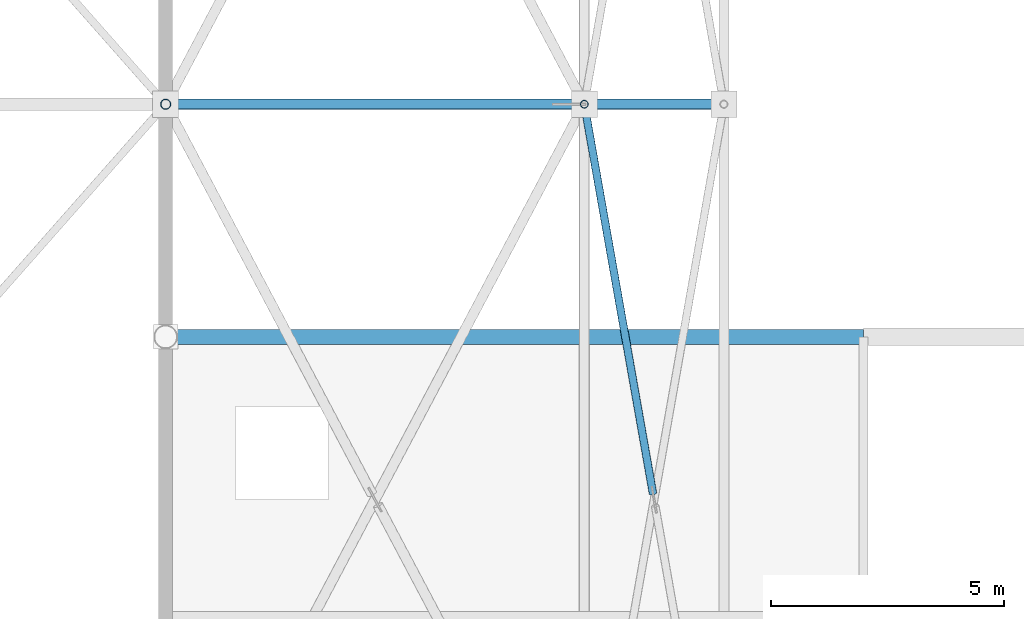
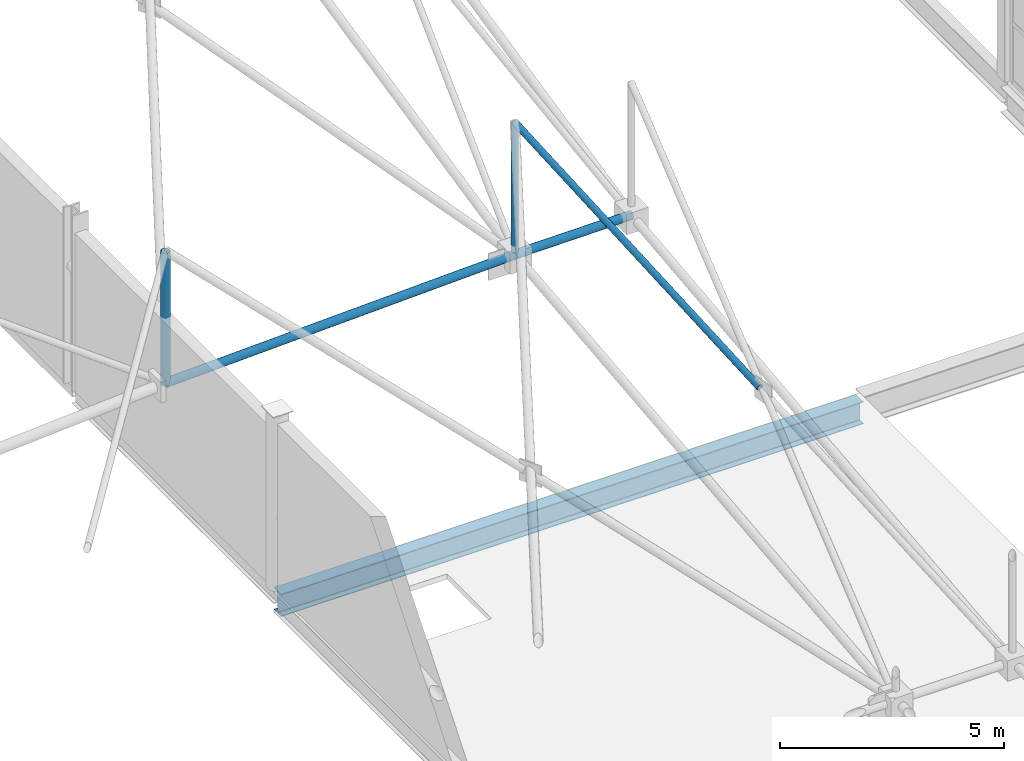
# One storey, part 146 of 224: 5 members, 1 beam.
"""IFC4 building model written with IfcOpenShell, lengths in metres."""

from ifc_helpers import new_model, si_unit, direction, frame, origin, origin_2d, place, context, subcontext, project, spatial, hollow_circle, i_section, extrude, material, material_profile, profile_set, type_object, element, save


model = new_model("IFC4")

# Units and contexts
model_context = context("Model", 3, precision=1e-05, world=origin(), true_north=direction((0.0, 1.0)))
body_context = subcontext(model_context, "Body", "Model", "MODEL_VIEW")
ifc_project = project(units=[si_unit("LENGTHUNIT", "METRE"), si_unit("AREAUNIT", "SQUARE_METRE"), si_unit("VOLUMEUNIT", "CUBIC_METRE"), si_unit("PLANEANGLEUNIT", "RADIAN"), si_unit("MASSUNIT", "GRAM", prefix="KILO")], contexts=[model_context])

# Site, building, storey
site_placement = place(None, origin())
site = spatial("IfcSite", under=ifc_project, at=site_placement, CompositionType="ELEMENT")
building_placement = place(site_placement, origin())
building = spatial("IfcBuilding", under=site, at=building_placement, Name="Qamarlyn Nura Convention Centre", CompositionType="ELEMENT")
storey_placement = place(building_placement, frame((0.0, 0.0, 10.800048828125)))
storey = spatial("IfcBuildingStorey", under=building, at=storey_placement, Name="L02", CompositionType="ELEMENT", Elevation=10.800048828125)

# Beam
ifc_material_1 = material(Name="Steel ASTM A992", Category="steel")
ifc_material_profile_1 = material_profile(ifc_material_1, i_section(OverallWidth=0.323974609375, OverallDepth=0.611083984375, WebThickness=0.0126953125, FlangeThickness=0.01904296875, FilletRadius=0.01611328125, at=origin_2d()), Name="W610X155")
ifc_profile_set_1 = profile_set([ifc_material_profile_1], Name="Steel ASTM A992")
beam_type = type_object("IfcBeamType", Name="BM-GIRD-610", PredefinedType="BEAM", material=ifc_profile_set_1)
beam_placement = place(storey_placement, frame((120.0, 81.0, -0.450439453125), z_axis=(1.0, 0.0, 0.0), x_axis=(0.0, 1.0, 0.0)))
element("IfcBeam", 1, at=beam_placement, inside=storey, type_object=beam_type, Name="L02 girder K 9-11", PredefinedType="BEAM", context=body_context, shape_type="SweptSolid", body=[
    extrude(i_section(OverallWidth=0.323974609375, OverallDepth=0.611083984375, WebThickness=0.0126953125, FlangeThickness=0.01904296875, FilletRadius=0.01611328125, at=origin_2d()), origin(), (0.0, 0.0, 1.0), 15.0),
])

# Members
ifc_material_2 = material(Name="Pearl-white PVDF steel ASTM A500 Grade C", Category="steel")
ifc_material_profile_2 = material_profile(ifc_material_2, hollow_circle(Radius=0.109619140625, WallThickness=0.010009765625, at=origin_2d()), Name="CHS219.1X10")
ifc_profile_set_2 = profile_set([ifc_material_profile_2], Name="Pearl-white PVDF steel ASTM A500 Grade C")
member_type_1 = type_object("IfcMemberType", Name="SF-BC-EAVE", PredefinedType="CHORD", material=ifc_profile_set_2)
member_1_placement = place(storey_placement, frame((120.0, 86.0, 2.483642578125), z_axis=(0.999251614623, 0.0, 0.038680882543), x_axis=(0.0, 1.0, 0.0)))
element("IfcMember", 2, at=member_1_placement, inside=storey, type_object=member_type_1, Name="ROOF TRUSS space frame bottom chord X10-6", PredefinedType="CHORD", context=body_context, shape_type="SweptSolid", body=[
    extrude(hollow_circle(Radius=0.109619140625, WallThickness=0.010009765625, at=origin_2d()), origin(), (0.0, 0.0, 1.0), 9.0068359375),
])
member_2_placement = place(storey_placement, frame((129.0, 86.0, 2.83203125), z_axis=(0.999963494154, 0.0, 0.008544609935), x_axis=(0.0, 1.0, 0.0)))
element("IfcMember", 3, at=member_2_placement, inside=storey, type_object=member_type_1, Name="ROOF TRUSS space frame bottom chord X11-6", PredefinedType="CHORD", context=body_context, shape_type="SweptSolid", body=[
    extrude(hollow_circle(Radius=0.109619140625, WallThickness=0.010009765625, at=origin_2d()), origin(), (0.0, 0.0, 1.0), 3.0),
])
ifc_material_profile_3 = material_profile(ifc_material_2, hollow_circle(Radius=0.109619140625, WallThickness=0.010009765625, at=origin_2d()), Name="CHS219.1X10")
ifc_profile_set_3 = profile_set([ifc_material_profile_3], Name="Pearl-white PVDF steel ASTM A500 Grade C")
member_type_2 = type_object("IfcMemberType", Name="SF-WEB-HVY", PredefinedType="BRACE", material=ifc_profile_set_3)
member_3_placement = place(storey_placement, frame((120.0, 86.0, 2.483642578125), z_axis=(0.0, 0.0, 1.0), x_axis=(1.0, 0.0, 0.0)))
element("IfcMember", 4, at=member_3_placement, inside=storey, type_object=member_type_2, Name="ROOF TRUSS space frame vertical 10-6", PredefinedType="BRACE", context=body_context, shape_type="SweptSolid", body=[
    extrude(hollow_circle(Radius=0.109619140625, WallThickness=0.010009765625, at=origin_2d()), origin(), (0.0, 0.0, 1.0), 3.60009765625),
])
ifc_material_profile_4 = material_profile(ifc_material_2, hollow_circle(Radius=0.084228515625, WallThickness=0.008056640625, at=origin_2d()), Name="CHS168.3X8")
ifc_profile_set_4 = profile_set([ifc_material_profile_4], Name="Pearl-white PVDF steel ASTM A500 Grade C")
member_type_3 = type_object("IfcMemberType", Name="SF-WEB-STD", PredefinedType="BRACE", material=ifc_profile_set_4)
member_4_placement = place(storey_placement, frame((130.476806640625, 77.631591796875, 3.768310546875), z_axis=(-0.165831674822, 0.939694547506, 0.299122070422), x_axis=(-0.984782980353, -0.173788611843, 0.0)))
element("IfcMember", 5, at=member_4_placement, inside=storey, type_object=member_type_3, Name="ROOF TRUSS space frame split diagonal B2 11-5", PredefinedType="BRACE", context=body_context, shape_type="SweptSolid", body=[
    extrude(hollow_circle(Radius=0.084228515625, WallThickness=0.008056640625, at=origin_2d()), origin(), (0.0, 0.0, 1.0), 8.905517578125),
])
member_5_placement = place(storey_placement, frame((129.0, 86.0, 2.83203125), z_axis=(0.0, 0.0, 1.0), x_axis=(1.0, 0.0, 0.0)))
element("IfcMember", 6, at=member_5_placement, inside=storey, type_object=member_type_3, Name="ROOF TRUSS space frame vertical 11-6", PredefinedType="BRACE", context=body_context, shape_type="SweptSolid", body=[
    extrude(hollow_circle(Radius=0.084228515625, WallThickness=0.008056640625, at=origin_2d()), origin(), (0.0, 0.0, 1.0), 3.60009765625),
])

save(model, "model.ifc")
